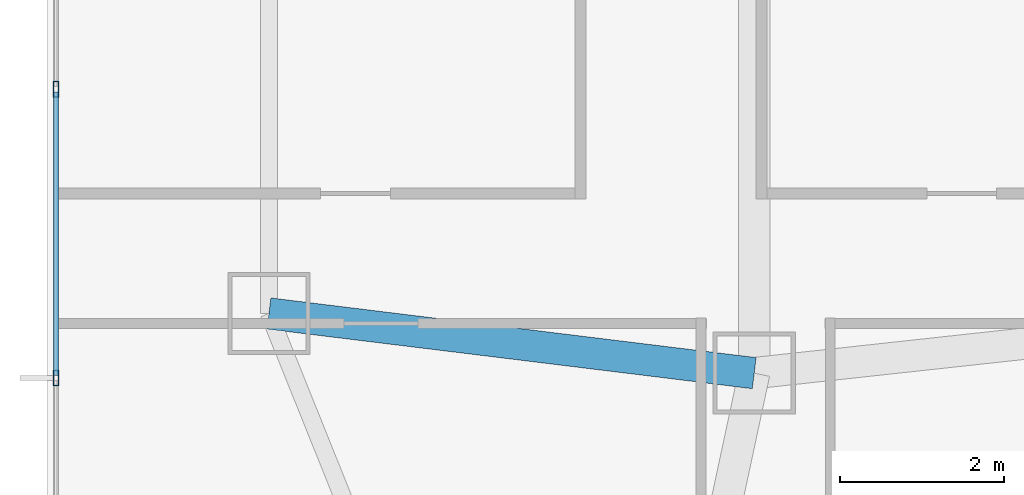
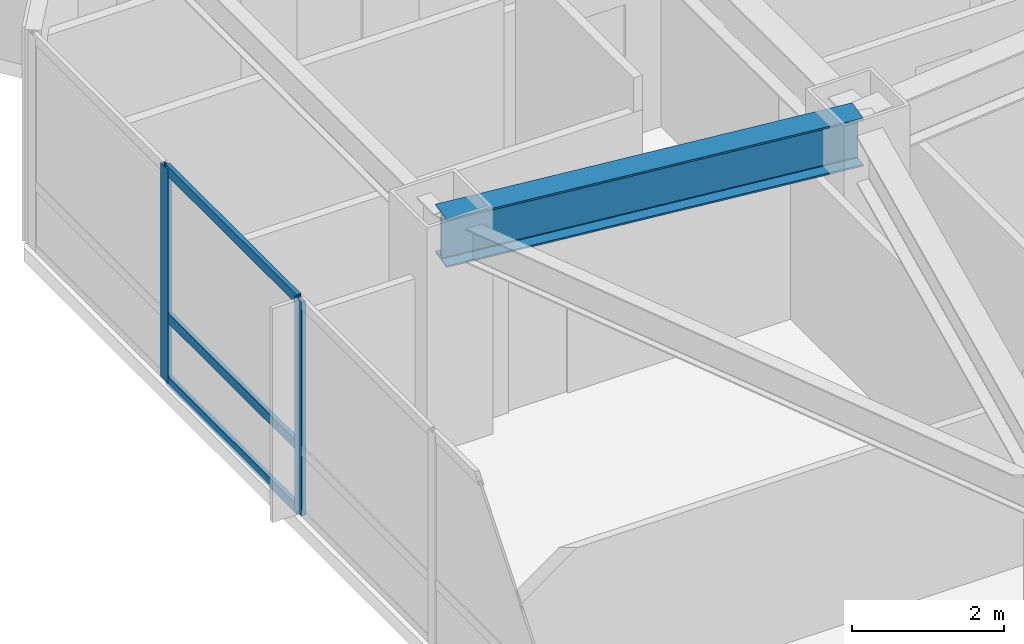
# One storey, part 4 of 19: 5 members, 1 beam, 1 element without a shape of its own.
"""IFC4 building model written with IfcOpenShell, lengths in metres."""

import ifcopenshell
import ifcopenshell.guid

model = None  # the IFC model being written
_history = None  # IfcOwnerHistory: only IFC2X3 demands one
_inside = {}  # id of a spatial element -> (the spatial element, [elements in it])
_under = {}  # id of a project, library or spatial element -> (it, [spatial elements below it])
_declared = {}  # id of a project -> (the project, [libraries it declares])
_typed = {}  # id of a type object -> (the type object, [elements of that type])
_made_of = {}  # id of a material, layer set ... -> (it, [elements and type objects made of it])


def new_model(schema):
    """Start an empty IFC model of exactly this schema.

    Asked for "IFC4X3", IfcOpenShell would pick the latest addendum, in which some entities
    have other attributes; the version numbers below select the first issue.
    IFC2X3 requires an IfcOwnerHistory on every rooted entity: one is made here for all.
    """
    global model, _history
    if schema == "IFC4X3":
        model = ifcopenshell.file(schema_version=(4, 3, 0, 0))
    else:
        model = ifcopenshell.file(schema=schema)
    _inside.clear()
    _under.clear()
    _declared.clear()
    _typed.clear()
    _made_of.clear()
    _history = None
    if model.schema == "IFC2X3":
        org = make("IfcOrganization", Name="unknown")
        user = make(
            "IfcPersonAndOrganization",
            ThePerson=make("IfcPerson", FamilyName="unknown"),
            TheOrganization=org,
        )
        app = make(
            "IfcApplication",
            ApplicationDeveloper=org,
            Version="unknown",
            ApplicationFullName="unknown",
            ApplicationIdentifier="unknown",
        )
        _history = make(
            "IfcOwnerHistory",
            OwningUser=user,
            OwningApplication=app,
            ChangeAction="ADDED",
            CreationDate=0,
        )
    return model


def make(cls, **values):
    """One entity of the class cls with the attributes given. An attribute that is None is left unset."""
    return model.create_entity(
        cls, **{name: value for name, value in values.items() if value is not None}
    )


def rooted(cls, **values):
    """An entity with a GlobalId (a new one), such as an element, a storey or a relation."""
    return make(cls, GlobalId=ifcopenshell.guid.new(), OwnerHistory=_history, **values)


def si_unit(unit_type, name, prefix=None):
    """IfcSIUnit, for example si_unit("LENGTHUNIT", "METRE", prefix="MILLI")."""
    return make("IfcSIUnit", UnitType=unit_type, Prefix=prefix, Name=name)


def assignment(units):
    """IfcUnitAssignment: the units of a project."""
    return None if units is None else make("IfcUnitAssignment", Units=units)


def point(xyz):
    """IfcCartesianPoint."""
    return None if xyz is None else make("IfcCartesianPoint", Coordinates=xyz)


def direction(xyz):
    """IfcDirection."""
    return None if xyz is None else make("IfcDirection", DirectionRatios=xyz)


def frame(location, z_axis=None, x_axis=None):
    """IfcAxis2Placement3D, a coordinate frame: its origin and axes. An axis left out is left unset."""
    return make(
        "IfcAxis2Placement3D",
        Location=point(location),
        Axis=direction(z_axis),
        RefDirection=direction(x_axis),
    )


def frame_2d(location, x_axis=None):
    """IfcAxis2Placement2D, a coordinate frame in the plane: its origin and x axis."""
    return make(
        "IfcAxis2Placement2D", Location=point(location), RefDirection=direction(x_axis)
    )


def origin():
    """The frame at (0, 0, 0) with its axes left unset."""
    return frame((0.0, 0.0, 0.0))


def origin_2d():
    """The frame at (0, 0) in the plane with its x axis left unset."""
    return frame_2d((0.0, 0.0))


def place(relative_to, where):
    """IfcLocalPlacement: puts the frame where relative to a parent placement (None: the world)."""
    return make(
        "IfcLocalPlacement", PlacementRelTo=relative_to, RelativePlacement=where
    )


def context(
    kind, dimensions, precision=None, world=None, true_north=None, identifier=None
):
    """IfcGeometricRepresentationContext, for example the 3D "Model" context."""
    return make(
        "IfcGeometricRepresentationContext",
        ContextIdentifier=identifier,
        ContextType=kind,
        CoordinateSpaceDimension=dimensions,
        Precision=precision,
        WorldCoordinateSystem=world,
        TrueNorth=true_north,
    )


def subcontext(parent, identifier, kind, view, scale=None):
    """IfcGeometricRepresentationSubContext, for example "Body" below "Model"."""
    return make(
        "IfcGeometricRepresentationSubContext",
        ContextIdentifier=identifier,
        ContextType=kind,
        ParentContext=parent,
        TargetScale=scale,
        TargetView=view,
    )


def project(units=None, contexts=None):
    """IfcProject with its units and contexts."""
    return rooted(
        "IfcProject",
        Name="project",
        RepresentationContexts=contexts,
        UnitsInContext=assignment(units),
    )


def spatial(cls, under=None, at=None, **own):
    """A site, building, storey or space (cls), placed at a placement, below another one or the project."""
    s = rooted(cls, ObjectPlacement=at, **own)
    if under is not None:
        _under.setdefault(under.id(), (under, []))[1].append(s)
    return s


def profile(cls, at=None, kind="AREA", **sizes):
    """A parametric profile (cls). Its sizes go by their IFC names, for example OverallWidth=200.0."""
    return make(cls, ProfileType=kind, Position=at, **sizes)


def hollow_rectangle(**sizes):
    """IfcRectangleHollowProfileDef."""
    return profile("IfcRectangleHollowProfileDef", **sizes)


def i_section(**sizes):
    """IfcIShapeProfileDef."""
    return profile("IfcIShapeProfileDef", **sizes)


def extrude(swept, where, along, depth):
    """IfcExtrudedAreaSolid: the profile swept, set in the frame where, extruded along a direction by depth."""
    return make(
        "IfcExtrudedAreaSolid",
        SweptArea=swept,
        Position=where,
        ExtrudedDirection=direction(along),
        Depth=depth,
    )


def shape(context_of_items, identifier, shape_type, items):
    """IfcShapeRepresentation: the items that make up one representation, for example the "Body"."""
    return make(
        "IfcShapeRepresentation",
        ContextOfItems=context_of_items,
        RepresentationIdentifier=identifier,
        RepresentationType=shape_type,
        Items=items,
    )


def material(Name=None, Category=None):
    """IfcMaterial."""
    return make("IfcMaterial", Name=Name, Category=Category)


def material_profile(
    of_material, cross_section, Name=None, Category=None, Priority=None
):
    """IfcMaterialProfile: a cross section and its material."""
    return make(
        "IfcMaterialProfile",
        Name=Name,
        Material=of_material,
        Profile=cross_section,
        Priority=Priority,
        Category=Category,
    )


def profile_set(profiles, Name=None, composite=None):
    """IfcMaterialProfileSet."""
    return make(
        "IfcMaterialProfileSet",
        Name=Name,
        MaterialProfiles=profiles,
        CompositeProfile=composite,
    )


def made_of(thing, what):
    """Note that an element or type object is made of a material, layer set ...; save() writes the relation."""
    if what is not None:
        _made_of.setdefault(what.id(), (what, []))[1].append(thing)
    return thing


def type_object(cls, material=None, **own):
    """A type object (cls), such as IfcWallType, which elements share."""
    return made_of(rooted(cls, **own), material)


def element(
    cls,
    number,
    at=None,
    inside=None,
    cuts=None,
    type_object=None,
    material=None,
    context=None,
    identifier="Body",
    shape_type=None,
    held_by="IfcProductDefinitionShape",
    body=None,
    shapes=None,
    **own,
):
    """One element of the class cls, such as IfcWall. Its Tag is "e" and its number.

    at: its placement. inside: the storey or other place that contains it. cuts: it is an
    opening in that element (IfcRelVoidsElement). A single representation is given by context,
    identifier, shape_type and body (its items); several are given by shapes. held_by: the class
    of the entity that holds the representations. save() writes the other relations.
    """
    e = rooted(cls, Tag="e%d" % number, ObjectPlacement=at, **own)
    if body is not None:
        shapes = [shape(context, identifier, shape_type, body)]
    if shapes is not None:
        e.Representation = make(held_by, Representations=shapes)
    if inside is not None:
        _inside.setdefault(inside.id(), (inside, []))[1].append(e)
    if cuts is not None:
        rooted(
            "IfcRelVoidsElement", RelatingBuildingElement=cuts, RelatedOpeningElement=e
        )
    if type_object is not None:
        _typed.setdefault(type_object.id(), (type_object, []))[1].append(e)
    return made_of(e, material)


def aggregate(whole, parts):
    """IfcRelAggregates: a whole, such as a stair, and the parts it consists of."""
    return rooted("IfcRelAggregates", RelatingObject=whole, RelatedObjects=parts)


def save(model, path):
    """Write the relations noted so far, then the file.

    IfcRelAggregates (storeys below a building ...), IfcRelContainedInSpatialStructure (elements
    in a storey), IfcRelDefinesByType, IfcRelAssociatesMaterial and IfcRelDeclares: one each for
    every whole, place, type object, material and project.
    """
    for whole, parts in _under.values():
        aggregate(whole, parts)
    for where, things in _inside.values():
        rooted(
            "IfcRelContainedInSpatialStructure",
            RelatedElements=things,
            RelatingStructure=where,
        )
    for kind, things in _typed.values():
        rooted("IfcRelDefinesByType", RelatedObjects=things, RelatingType=kind)
    for what, things in _made_of.values():
        rooted("IfcRelAssociatesMaterial", RelatedObjects=things, RelatingMaterial=what)
    for by, libraries in _declared.values():
        rooted("IfcRelDeclares", RelatingContext=by, RelatedDefinitions=libraries)
    model.write(path)


model = new_model("IFC4")

# Units and contexts
model_context = context("Model", 3, precision=1e-05, world=origin(), true_north=direction((0.0, 1.0)))
body_context = subcontext(model_context, "Body", "Model", "MODEL_VIEW")
ifc_project = project(units=[si_unit("LENGTHUNIT", "METRE"), si_unit("AREAUNIT", "SQUARE_METRE"), si_unit("VOLUMEUNIT", "CUBIC_METRE"), si_unit("PLANEANGLEUNIT", "RADIAN"), si_unit("MASSUNIT", "GRAM", prefix="KILO")], contexts=[model_context])

# Site, building, storey
site_placement = place(None, origin())
site = spatial("IfcSite", under=ifc_project, at=site_placement, CompositionType="ELEMENT")
building_placement = place(site_placement, origin())
building = spatial("IfcBuilding", under=site, at=building_placement, Name="Khamvora Tower", CompositionType="ELEMENT")
storey_placement = place(building_placement, frame((0.0, 0.0, 120.14990234375)))
storey = spatial("IfcBuildingStorey", under=building, at=storey_placement, Name="L30", CompositionType="ELEMENT", Elevation=120.14990234375)

# Beam
ifc_material_1 = material(Name="Steel S355", Category="steel")
ifc_material_profile_1 = material_profile(ifc_material_1, i_section(OverallWidth=0.381103515625, OverallDepth=0.77294921875, WebThickness=0.01708984375, FlangeThickness=0.027099609375, FilletRadius=0.01806640625, at=origin_2d()), Name="W760x257")
ifc_profile_set_1 = profile_set([ifc_material_profile_1], Name="Steel S355")
beam_type = type_object("IfcBeamType", Name="BM-PG-W760x257", PredefinedType="BEAM", material=ifc_profile_set_1)
beam_placement = place(storey_placement, frame((18.0, 17.800048828125, 3.044189453125), z_axis=(-0.992537264608, 0.12194170068, 0.0), x_axis=(-0.12194170068, -0.992537264608, 0.0)))
element("IfcBeam", 1, at=beam_placement, inside=storey, type_object=beam_type, Name="L30 primary floor girder W1", PredefinedType="BEAM", context=body_context, shape_type="SweptSolid", body=[
    extrude(i_section(OverallWidth=0.381103515625, OverallDepth=0.77294921875, WebThickness=0.01708984375, FlangeThickness=0.027099609375, FilletRadius=0.01806640625, at=origin_2d()), origin(), (0.0, 0.0, 1.0), 5.9443359375),
])

# Curtain wall, members
ifc_material_2 = material(Name="Anodised Aluminium 6063-T6", Category="aluminium")
curtain_wall_type = type_object("IfcCurtainWallType", Name="CW-SYS-03", PredefinedType="NOTDEFINED", material=ifc_material_2)
curtain_wall_placement = place(storey_placement, origin())
curtain_wall = element("IfcCurtainWall", 2, at=curtain_wall_placement, inside=storey, type_object=curtain_wall_type, Name="L30 stick curtain wall 02.1", PredefinedType="NOTDEFINED")
ifc_material_profile_2 = material_profile(ifc_material_2, hollow_rectangle(XDim=0.06494140625, YDim=0.18994140625, WallThickness=0.0048828125, at=origin_2d()), Name="MUL65x190x5")
ifc_profile_set_2 = profile_set([ifc_material_profile_2], Name="Anodised Aluminium 6063-T6")
member_type_1 = type_object("IfcMemberType", Name="CW-SYS-03-MUL", PredefinedType="MULLION", material=ifc_profile_set_2)
member_1_placement = place(storey_placement, frame((9.510009765625, 17.739990234375, 0.0), z_axis=(0.0, 0.0, 1.0), x_axis=(-1.0, 0.0, 0.0)))
member_1 = element("IfcMember", 3, at=member_1_placement, type_object=member_type_1, Name="CW-03 mullion 3", PredefinedType="MULLION", context=body_context, shape_type="SweptSolid", body=[
    extrude(hollow_rectangle(XDim=0.06494140625, YDim=0.18994140625, WallThickness=0.0048828125, at=origin_2d()), origin(), (0.0, 0.0, 1.0), 3.43017578125),
])
member_2_placement = place(storey_placement, frame((9.510009765625, 21.25146484375, 0.0), z_axis=(0.0, 0.0, 1.0), x_axis=(-1.0, 0.0, 0.0)))
member_2 = element("IfcMember", 4, at=member_2_placement, type_object=member_type_1, Name="CW-03 mullion 4", PredefinedType="MULLION", context=body_context, shape_type="SweptSolid", body=[
    extrude(hollow_rectangle(XDim=0.06494140625, YDim=0.18994140625, WallThickness=0.0048828125, at=origin_2d()), origin(), (0.0, 0.0, 1.0), 3.43017578125),
])
ifc_material_profile_3 = material_profile(ifc_material_2, hollow_rectangle(XDim=0.06494140625, YDim=0.155029296875, WallThickness=0.0048828125, at=origin_2d()), Name="TRN65x155x5")
ifc_profile_set_3 = profile_set([ifc_material_profile_3], Name="Anodised Aluminium 6063-T6")
member_type_2 = type_object("IfcMemberType", Name="CW-SYS-03-TRN", PredefinedType="USERDEFINED", material=ifc_profile_set_3)
member_3_placement = place(storey_placement, frame((9.510009765625, 17.7724609375, 0.03271484375), z_axis=(0.0, 1.0, 0.0), x_axis=(-1.0, 0.0, 0.0)))
member_3 = element("IfcMember", 5, at=member_3_placement, type_object=member_type_2, Name="CW-03 transom 3.1", ObjectType="TRANSOM", PredefinedType="USERDEFINED", context=body_context, shape_type="SweptSolid", body=[
    extrude(hollow_rectangle(XDim=0.06494140625, YDim=0.155029296875, WallThickness=0.0048828125, at=origin_2d()), origin(), (0.0, 0.0, 1.0), 3.446533203125),
])
member_4_placement = place(storey_placement, frame((9.510009765625, 17.7724609375, 1.050048828125), z_axis=(0.0, 1.0, 0.0), x_axis=(-1.0, 0.0, 0.0)))
member_4 = element("IfcMember", 6, at=member_4_placement, type_object=member_type_2, Name="CW-03 transom 3.2", ObjectType="TRANSOM", PredefinedType="USERDEFINED", context=body_context, shape_type="SweptSolid", body=[
    extrude(hollow_rectangle(XDim=0.06494140625, YDim=0.155029296875, WallThickness=0.0048828125, at=origin_2d()), origin(), (0.0, 0.0, 1.0), 3.446533203125),
])
member_5_placement = place(storey_placement, frame((9.510009765625, 17.7724609375, 3.397705078125), z_axis=(0.0, 1.0, 0.0), x_axis=(-1.0, 0.0, 0.0)))
member_5 = element("IfcMember", 7, at=member_5_placement, type_object=member_type_2, Name="CW-03 transom 3.3", ObjectType="TRANSOM", PredefinedType="USERDEFINED", context=body_context, shape_type="SweptSolid", body=[
    extrude(hollow_rectangle(XDim=0.06494140625, YDim=0.155029296875, WallThickness=0.0048828125, at=origin_2d()), origin(), (0.0, 0.0, 1.0), 3.446533203125),
])
aggregate(curtain_wall, [member_1, member_2, member_3, member_4, member_5])

save(model, "model.ifc")
